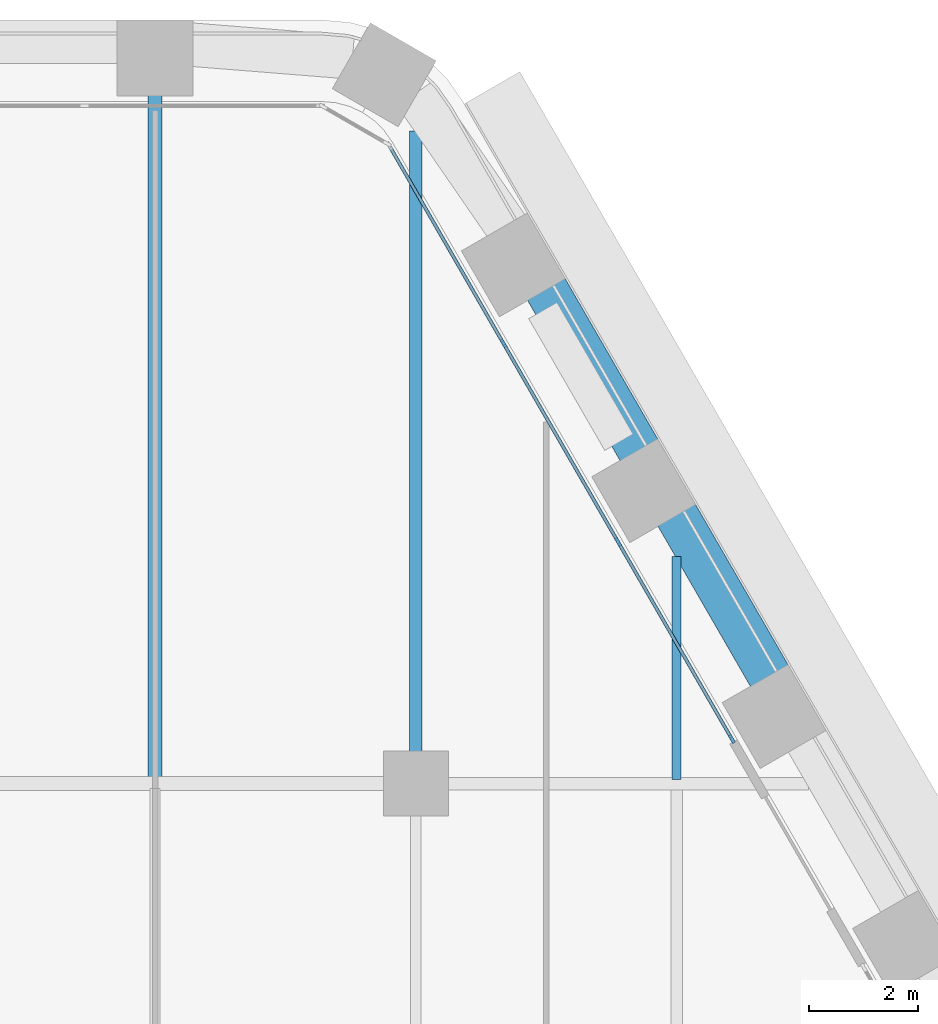
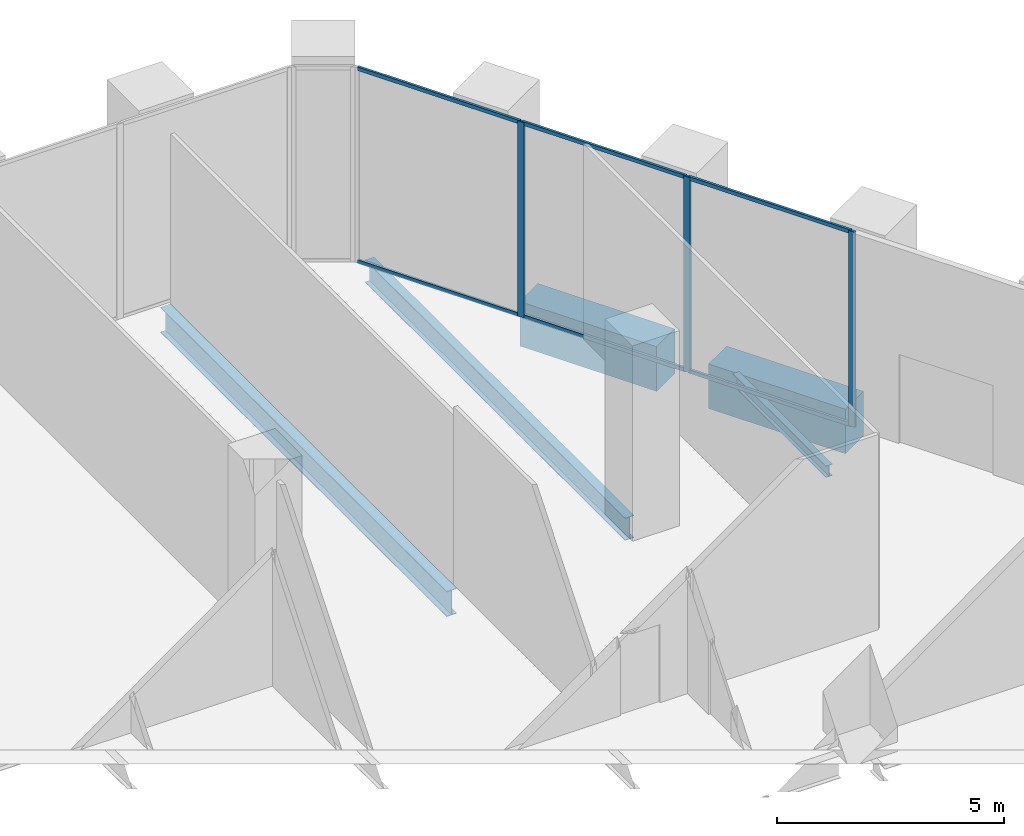
# One storey, part 10 of 27: 9 members, 5 beams, 1 element without a shape of its own.
"""IFC4 building model written with IfcOpenShell, lengths in metres."""

from ifc_helpers import new_model, si_unit, direction, frame, origin, origin_2d, place, context, subcontext, project, spatial, rectangle, i_section, extrude, material, material_profile, profile_set, type_object, element, aggregate, save


model = new_model("IFC4")

# Units and contexts
model_context = context("Model", 3, precision=1e-05, world=origin(), true_north=direction((0.0, 1.0)))
body_context = subcontext(model_context, "Body", "Model", "MODEL_VIEW")
ifc_project = project(units=[si_unit("LENGTHUNIT", "METRE"), si_unit("AREAUNIT", "SQUARE_METRE"), si_unit("VOLUMEUNIT", "CUBIC_METRE"), si_unit("PLANEANGLEUNIT", "RADIAN"), si_unit("MASSUNIT", "GRAM", prefix="KILO")], contexts=[model_context])

# Site, building, storey
site_placement = place(None, origin())
site = spatial("IfcSite", under=ifc_project, at=site_placement, CompositionType="ELEMENT")
building_placement = place(site_placement, origin())
building = spatial("IfcBuilding", under=site, at=building_placement, Name="Kolab Exchange Tower", CompositionType="ELEMENT")
storey_placement = place(building_placement, frame((0.0, 0.0, 22.39990234375)))
storey = spatial("IfcBuildingStorey", under=building, at=storey_placement, Name="L04", CompositionType="ELEMENT", Elevation=22.39990234375)

# Beams
ifc_material_1 = material(Name="Steel S355", Category="steel")
ifc_material_profile_1 = material_profile(ifc_material_1, i_section(OverallWidth=0.1650390625, OverallDepth=0.31005859375, WebThickness=0.005859375, FlangeThickness=0.009765625, at=origin_2d()), Name="W310X39")
ifc_profile_set_1 = profile_set([ifc_material_profile_1], Name="Steel S355")
beam_type_1 = type_object("IfcBeamType", Name="FLOOR BEAM W310X39", PredefinedType="BEAM", material=ifc_profile_set_1)
beam_1_placement = place(storey_placement, frame((24.0, 19.27392578125, -0.40478515625), z_axis=(0.0, 1.0, 0.0), x_axis=(-1.0, 0.0, 0.0)))
element("IfcBeam", 1, at=beam_1_placement, inside=storey, type_object=beam_type_1, Name="beam/L04/fr/057", PredefinedType="BEAM", context=body_context, shape_type="SweptSolid", body=[
    extrude(i_section(OverallWidth=0.1650390625, OverallDepth=0.31005859375, WebThickness=0.005859375, FlangeThickness=0.009765625, at=origin_2d()), origin(), (0.0, 0.0, 1.0), 4.107666015625),
])
ifc_material_profile_2 = material_profile(ifc_material_1, i_section(OverallWidth=0.22802734375, OverallDepth=0.60791015625, WebThickness=0.01123046875, FlangeThickness=0.017333984375, at=origin_2d()), Name="W610X113")
ifc_profile_set_2 = profile_set([ifc_material_profile_2], Name="Steel S355")
beam_type_2 = type_object("IfcBeamType", Name="FLOOR BEAM W610X113", PredefinedType="BEAM", material=ifc_profile_set_2)
beam_2_placement = place(storey_placement, frame((19.199951171875, 19.760009765625, -0.553955078125), z_axis=(0.0, 1.0, 0.0), x_axis=(-1.0, 0.0, 0.0)))
element("IfcBeam", 2, at=beam_2_placement, inside=storey, type_object=beam_type_2, Name="beam/L04/fr/051", PredefinedType="BEAM", context=body_context, shape_type="SweptSolid", body=[
    extrude(i_section(OverallWidth=0.22802734375, OverallDepth=0.60791015625, WebThickness=0.01123046875, FlangeThickness=0.017333984375, at=origin_2d()), origin(), (0.0, 0.0, 1.0), 11.45458984375),
])
ifc_material_profile_3 = material_profile(ifc_material_1, i_section(OverallWidth=0.25390625, OverallDepth=0.68408203125, WebThickness=0.012451171875, FlangeThickness=0.018798828125, at=origin_2d()), Name="W690X140")
ifc_profile_set_3 = profile_set([ifc_material_profile_3], Name="Steel S355")
beam_type_3 = type_object("IfcBeamType", Name="FLOOR BEAM W690X140", PredefinedType="BEAM", material=ifc_profile_set_3)
beam_3_placement = place(storey_placement, frame((14.39990234375, 19.287109375, -0.591796875), z_axis=(0.0, 1.0, 0.0), x_axis=(-1.0, 0.0, 0.0)))
element("IfcBeam", 3, at=beam_3_placement, inside=storey, type_object=beam_type_3, Name="beam/L04/fr/045", PredefinedType="BEAM", context=body_context, shape_type="SweptSolid", body=[
    extrude(i_section(OverallWidth=0.25390625, OverallDepth=0.68408203125, WebThickness=0.012451171875, FlangeThickness=0.018798828125, at=origin_2d()), origin(), (0.0, 0.0, 1.0), 12.6083984375),
])
ifc_material_2 = material(Name="Concrete C80/95", Category="concrete")
ifc_material_profile_4 = material_profile(ifc_material_2, rectangle(XDim=0.800048828125, YDim=1.199951171875, at=origin_2d()), Name="RC800X1200")
ifc_profile_set_4 = profile_set([ifc_material_profile_4], Name="Concrete C80/95")
beam_type_4 = type_object("IfcBeamType", Name="SPANDREL BEAM 800X1200 C80/95", PredefinedType="BEAM", material=ifc_profile_set_4)
beam_4_placement = place(storey_placement, frame((21.58349609375, 28.326904296875, -0.849853515625), z_axis=(0.499979528911, -0.866037222451, 0.0), x_axis=(0.866037222451, 0.499979528911, 0.0)))
element("IfcBeam", 4, at=beam_4_placement, inside=storey, type_object=beam_type_4, Name="beam/L04/sp/F2-02", PredefinedType="BEAM", context=body_context, shape_type="SweptSolid", body=[
    extrude(rectangle(XDim=0.800048828125, YDim=1.199951171875, at=origin_2d()), origin(), (0.0, 0.0, 1.0), 3.480224609375),
])
beam_5_placement = place(storey_placement, frame((23.983642578125, 24.169921875, -0.849853515625), z_axis=(0.500009906705, -0.86601968407, 0.0), x_axis=(0.86601968407, 0.500009906705, 0.0)))
element("IfcBeam", 5, at=beam_5_placement, inside=storey, type_object=beam_type_4, Name="beam/L04/sp/F2-03", PredefinedType="BEAM", context=body_context, shape_type="SweptSolid", body=[
    extrude(rectangle(XDim=0.800048828125, YDim=1.199951171875, at=origin_2d()), origin(), (0.0, 0.0, 1.0), 3.47998046875),
])

# Curtain wall, members
ifc_material_3 = material(Name="Aluminium EN AW-6063 T6", Category="aluminium")
curtain_wall_type = type_object("IfcCurtainWallType", Name="UNITISED LOW ZONE CURTAIN WALL", PredefinedType="NOTDEFINED", material=ifc_material_3)
curtain_wall_placement = place(storey_placement, origin())
curtain_wall = element("IfcCurtainWall", 6, at=curtain_wall_placement, inside=storey, type_object=curtain_wall_type, Name="cw/L04/F2-1", PredefinedType="NOTDEFINED")
ifc_material_profile_5 = material_profile(ifc_material_3, rectangle(XDim=0.06005859375, YDim=0.159912109375, at=origin_2d()), Name="RECT 60X160")
ifc_profile_set_5 = profile_set([ifc_material_profile_5], Name="Aluminium EN AW-6063 T6")
member_type_1 = type_object("IfcMemberType", Name="UNITISED LOW ZONE MULLION 60 X 160", PredefinedType="MULLION", material=ifc_profile_set_5)
member_1_placement = place(storey_placement, frame((20.80908203125, 27.308349609375, 0.0), z_axis=(0.0, 0.0, 1.0), x_axis=(0.866025393644, 0.500000017564, 0.0)))
member_1 = element("IfcMember", 7, at=member_1_placement, type_object=member_type_1, Name="CW1 mullion 2", PredefinedType="MULLION", context=body_context, shape_type="SweptSolid", body=[
    extrude(rectangle(XDim=0.06005859375, YDim=0.159912109375, at=origin_2d()), origin(), (0.0, 0.0, 1.0), 5.25),
])
member_2_placement = place(storey_placement, frame((22.92041015625, 23.651611328125, 0.0), z_axis=(0.0, 0.0, 1.0), x_axis=(0.866025393644, 0.500000017564, 0.0)))
member_2 = element("IfcMember", 8, at=member_2_placement, type_object=member_type_1, Name="CW1 mullion 3", PredefinedType="MULLION", context=body_context, shape_type="SweptSolid", body=[
    extrude(rectangle(XDim=0.06005859375, YDim=0.159912109375, at=origin_2d()), origin(), (0.0, 0.0, 1.0), 5.25),
])
member_3_placement = place(storey_placement, frame((25.0166015625, 20.0205078125, 0.0), z_axis=(0.0, 0.0, 1.0), x_axis=(0.866025393644, 0.500000017564, 0.0)))
member_3 = element("IfcMember", 9, at=member_3_placement, type_object=member_type_1, Name="CW1 mullion 4", PredefinedType="MULLION", context=body_context, shape_type="SweptSolid", body=[
    extrude(rectangle(XDim=0.06005859375, YDim=0.159912109375, at=origin_2d()), origin(), (0.0, 0.0, 1.0), 5.25),
])
ifc_material_profile_6 = material_profile(ifc_material_3, rectangle(XDim=0.06005859375, YDim=0.10009765625, at=origin_2d()), Name="RECT 60X100")
ifc_profile_set_6 = profile_set([ifc_material_profile_6], Name="Aluminium EN AW-6063 T6")
member_type_2 = type_object("IfcMemberType", Name="UNITISED LOW ZONE TRANSOM 60 X 100", PredefinedType="USERDEFINED", material=ifc_profile_set_6)
member_4_placement = place(storey_placement, frame((18.727783203125, 30.913330078125, 0.030029296875), z_axis=(0.499983268986, -0.866035063224, 0.0), x_axis=(0.866035063224, 0.499983268986, 0.0)))
member_4 = element("IfcMember", 10, at=member_4_placement, type_object=member_type_2, Name="CW1 transom 1.1", ObjectType="TRANSOM", PredefinedType="USERDEFINED", context=body_context, shape_type="SweptSolid", body=[
    extrude(rectangle(XDim=0.06005859375, YDim=0.10009765625, at=origin_2d()), origin(), (0.0, 0.0, 1.0), 4.132568359375),
])
member_5_placement = place(storey_placement, frame((18.727783203125, 30.913330078125, 5.22021484375), z_axis=(0.499983268986, -0.866035063224, 0.0), x_axis=(0.866035063224, 0.499983268986, 0.0)))
member_5 = element("IfcMember", 11, at=member_5_placement, type_object=member_type_2, Name="CW1 transom 1.2", ObjectType="TRANSOM", PredefinedType="USERDEFINED", context=body_context, shape_type="SweptSolid", body=[
    extrude(rectangle(XDim=0.06005859375, YDim=0.10009765625, at=origin_2d()), origin(), (0.0, 0.0, 1.0), 4.132568359375),
])
member_6_placement = place(storey_placement, frame((20.823974609375, 27.282470703125, 0.030029296875), z_axis=(0.49999322259, -0.866029316688, 0.0), x_axis=(0.866029316688, 0.49999322259, 0.0)))
member_6 = element("IfcMember", 12, at=member_6_placement, type_object=member_type_2, Name="CW1 transom 2.1", ObjectType="TRANSOM", PredefinedType="USERDEFINED", context=body_context, shape_type="SweptSolid", body=[
    extrude(rectangle(XDim=0.06005859375, YDim=0.10009765625, at=origin_2d()), origin(), (0.0, 0.0, 1.0), 4.16259765625),
])
member_7_placement = place(storey_placement, frame((20.823974609375, 27.282470703125, 5.22021484375), z_axis=(0.49999322259, -0.866029316688, 0.0), x_axis=(0.866029316688, 0.49999322259, 0.0)))
member_7 = element("IfcMember", 13, at=member_7_placement, type_object=member_type_2, Name="CW1 transom 2.2", ObjectType="TRANSOM", PredefinedType="USERDEFINED", context=body_context, shape_type="SweptSolid", body=[
    extrude(rectangle(XDim=0.06005859375, YDim=0.10009765625, at=origin_2d()), origin(), (0.0, 0.0, 1.0), 4.16259765625),
])
member_8_placement = place(storey_placement, frame((22.935302734375, 23.62548828125, 0.030029296875), z_axis=(0.500027577057, -0.866009481578, 0.0), x_axis=(0.866009481578, 0.500027577057, 0.0)))
member_8 = element("IfcMember", 14, at=member_8_placement, type_object=member_type_2, Name="CW1 transom 3.1", ObjectType="TRANSOM", PredefinedType="USERDEFINED", context=body_context, shape_type="SweptSolid", body=[
    extrude(rectangle(XDim=0.06005859375, YDim=0.10009765625, at=origin_2d()), origin(), (0.0, 0.0, 1.0), 4.132568359375),
])
member_9_placement = place(storey_placement, frame((22.935302734375, 23.62548828125, 5.22021484375), z_axis=(0.500027577057, -0.866009481578, 0.0), x_axis=(0.866009481578, 0.500027577057, 0.0)))
member_9 = element("IfcMember", 15, at=member_9_placement, type_object=member_type_2, Name="CW1 transom 3.2", ObjectType="TRANSOM", PredefinedType="USERDEFINED", context=body_context, shape_type="SweptSolid", body=[
    extrude(rectangle(XDim=0.06005859375, YDim=0.10009765625, at=origin_2d()), origin(), (0.0, 0.0, 1.0), 4.132568359375),
])
aggregate(curtain_wall, [member_1, member_2, member_3, member_4, member_5, member_6, member_7, member_8, member_9])

save(model, "model.ifc")
